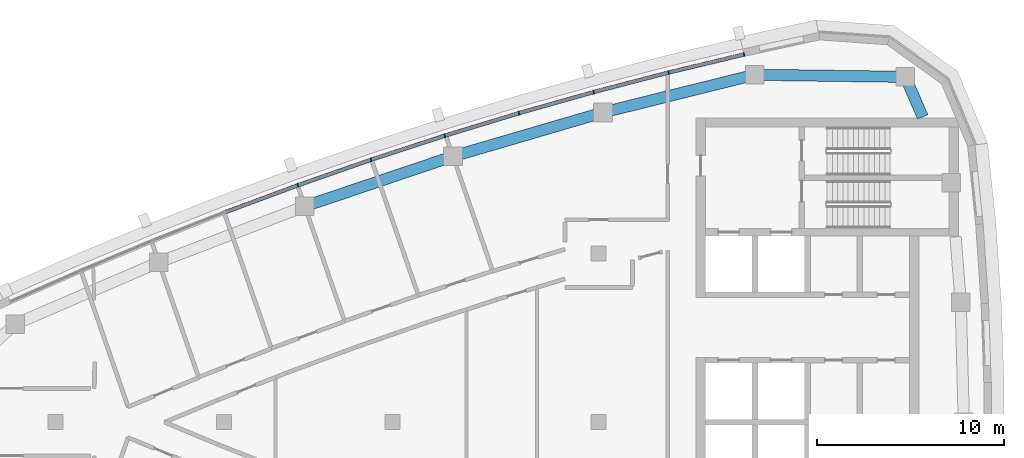
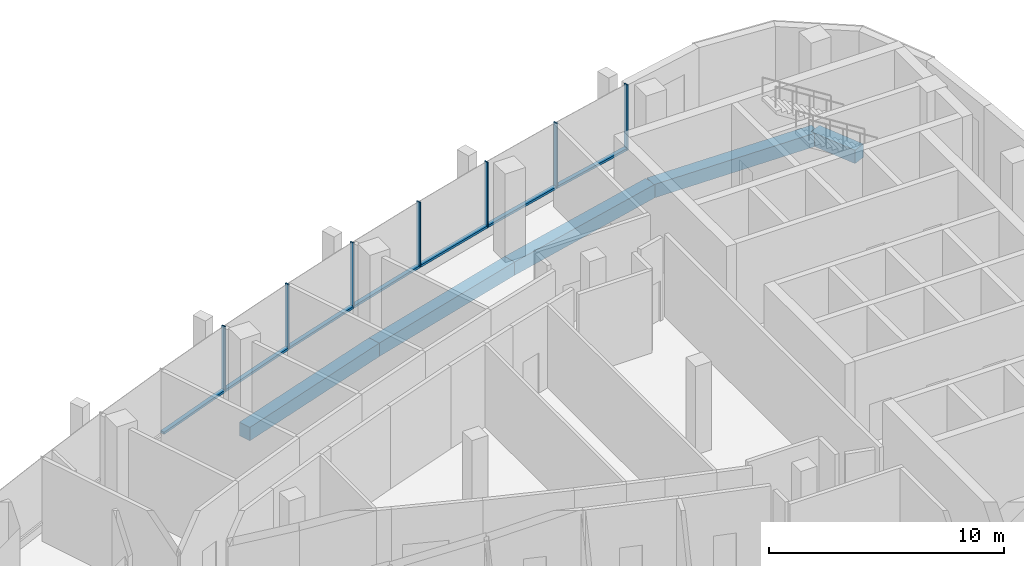
# One storey, part 5 of 15: 14 members, 5 beams, 4 elements without a shape of their own.
"""IFC4 building model written with IfcOpenShell, lengths in metres."""

from ifc_helpers import new_model, si_unit, direction, frame, origin, origin_2d, place, context, subcontext, project, spatial, rectangle, extrude, material, layer, layer_set, material_profile, profile_set, type_object, element, aggregate, save


model = new_model("IFC4")

# Units and contexts
model_context = context("Model", 3, precision=1e-05, world=origin(), true_north=direction((0.0, 1.0)))
body_context = subcontext(model_context, "Body", "Model", "MODEL_VIEW")
ifc_project = project(units=[si_unit("LENGTHUNIT", "METRE"), si_unit("AREAUNIT", "SQUARE_METRE"), si_unit("VOLUMEUNIT", "CUBIC_METRE"), si_unit("PLANEANGLEUNIT", "RADIAN"), si_unit("MASSUNIT", "GRAM", prefix="KILO")], contexts=[model_context])

# Site, building, storey
site_placement = place(None, origin())
site = spatial("IfcSite", under=ifc_project, at=site_placement, CompositionType="ELEMENT")
building_placement = place(site_placement, origin())
building = spatial("IfcBuilding", under=site, at=building_placement, Name="Ostrand Prow Hotel Tower", CompositionType="ELEMENT")
storey_placement = place(building_placement, frame((0.0, 0.0, 308.60009765625)))
storey = spatial("IfcBuildingStorey", under=building, at=storey_placement, Name="C1", CompositionType="ELEMENT", Elevation=308.60009765625)

# Beams
ifc_material_1 = material(Name="Concrete C40/50", Category="concrete")
ifc_material_profile_1 = material_profile(ifc_material_1, rectangle(XDim=0.60009765625, YDim=0.699951171875, at=origin_2d()), Name="RC 600x700")
ifc_profile_set_1 = profile_set([ifc_material_profile_1], Name="Concrete C40/50")
beam_type = type_object("IfcBeamType", Name="Edge beam 600x700 C40/50", PredefinedType="SPANDREL", material=ifc_profile_set_1)
beam_1_placement = place(storey_placement, frame((62.304931640625, 16.300048828125, -0.650146484375), z_axis=(-0.398863844187, 0.91701016014, 0.0), x_axis=(-0.91701016014, -0.398863844187, 0.0)))
element("IfcBeam", 1, at=beam_1_placement, inside=storey, type_object=beam_type, Name="Edge beam B5-NE", PredefinedType="SPANDREL", context=body_context, shape_type="SweptSolid", body=[
    extrude(rectangle(XDim=0.60009765625, YDim=0.699951171875, at=origin_2d()), origin(), (0.0, 0.0, 1.0), 2.333251953125),
])
beam_2_placement = place(storey_placement, frame((61.374267578125, 18.439697265625, -0.650146484375), z_axis=(-0.999900689486, 0.014092947356, 0.0), x_axis=(-0.014092947356, -0.999900689486, 0.0)))
element("IfcBeam", 2, at=beam_2_placement, inside=storey, type_object=beam_type, Name="Edge beam NE-N1", PredefinedType="SPANDREL", context=body_context, shape_type="SweptSolid", body=[
    extrude(rectangle(XDim=0.60009765625, YDim=0.699951171875, at=origin_2d()), origin(), (0.0, 0.0, 1.0), 8.0380859375),
])
for number, where, z_axis, x_axis, name in (
    (3, (53.3369140625, 18.552978515625, -0.650146484375), (-0.970456465292, -0.241276291775, 0.0), (0.241276291775, -0.970456465292, 0.0), "Edge beam N1-N2"),
    (4, (45.234619140625, 16.53857421875, -0.650146484375), (-0.959821966031, -0.280609681809, 0.0), (0.280609681809, -0.959821966031, 0.0), "Edge beam N2-N3"),
    (5, (37.22119140625, 14.19580078125, -0.650146484375), (-0.947575089419, -0.319533174981, 0.0), (0.319533174981, -0.947575089419, 0.0), "Edge beam N3-N4"),
):
    element("IfcBeam", number, at=place(storey_placement, frame(where, z_axis=z_axis, x_axis=x_axis)), inside=storey, type_object=beam_type, Name=name, PredefinedType="SPANDREL", context=body_context, shape_type="SweptSolid", body=[
        extrude(rectangle(XDim=0.60009765625, YDim=0.699951171875, at=origin_2d()), origin(), (0.0, 0.0, 1.0), 8.348876953125),
    ])

# Curtain wall, members
ifc_material_2 = material(Name="Insulated glass in bronze anodised frame", Category="glass")
ifc_layer = layer(ifc_material_2, 0.199951171875)
ifc_layer_set = layer_set([ifc_layer], Name="Insulated glass in bronze anodised frame")
curtain_wall_type = type_object("IfcCurtainWallType", Name="Observation and restaurant glazing wall", PredefinedType="NOTDEFINED", material=ifc_layer_set)
curtain_wall_1_placement = place(storey_placement, origin())
curtain_wall_1 = element("IfcCurtainWall", 6, at=curtain_wall_1_placement, inside=storey, type_object=curtain_wall_type, Name="CW6 run CWN1", PredefinedType="NOTDEFINED")
ifc_material_3 = material(Name="Bronze anodised aluminium", Category="aluminium")
ifc_material_profile_2 = material_profile(ifc_material_3, rectangle(XDim=0.199951171875, YDim=0.06005859375, at=origin_2d()), Name="Mullion 60x200 bronze anodised aluminium")
ifc_profile_set_2 = profile_set([ifc_material_profile_2], Name="Bronze anodised aluminium")
member_type_1 = type_object("IfcMemberType", Name="Mullion 60x200 bronze anodised aluminium", PredefinedType="MULLION", material=ifc_profile_set_2)
member_1_placement = place(storey_placement, frame((52.7607421875, 19.634521484375, 0.89990234375), z_axis=(0.0, 0.0, 1.0), x_axis=(0.232746096028, -0.972537533869, 0.0)))
member_1 = element("IfcMember", 7, at=member_1_placement, type_object=member_type_1, Name="CW6 mullion 1", PredefinedType="MULLION", context=body_context, shape_type="SweptSolid", body=[
    extrude(rectangle(XDim=0.199951171875, YDim=0.06005859375, at=origin_2d()), origin(), (0.0, 0.0, 1.0), 3.39990234375),
])
member_2_placement = place(storey_placement, frame((48.734619140625, 18.6708984375, 0.89990234375), z_axis=(0.0, 0.0, 1.0), x_axis=(0.252248384867, -0.967662519855, 0.0)))
member_2 = element("IfcMember", 8, at=member_2_placement, type_object=member_type_1, Name="CW6 mullion 2", PredefinedType="MULLION", context=body_context, shape_type="SweptSolid", body=[
    extrude(rectangle(XDim=0.199951171875, YDim=0.06005859375, at=origin_2d()), origin(), (0.0, 0.0, 1.0), 3.39990234375),
])
member_3_placement = place(storey_placement, frame((44.728515625, 17.626708984375, 0.89990234375), z_axis=(0.0, 0.0, 1.0), x_axis=(0.252248384867, -0.967662519855, 0.0)))
member_3 = element("IfcMember", 9, at=member_3_placement, type_object=member_type_1, Name="CW6 mullion 3", PredefinedType="MULLION", context=body_context, shape_type="SweptSolid", body=[
    extrude(rectangle(XDim=0.199951171875, YDim=0.06005859375, at=origin_2d()), origin(), (0.0, 0.0, 1.0), 3.39990234375),
])

curtain_wall_2_placement = place(storey_placement, origin())
curtain_wall_2 = element("IfcCurtainWall", 10, at=curtain_wall_2_placement, inside=storey, type_object=curtain_wall_type, Name="CW6 run CWN2", PredefinedType="NOTDEFINED")
member_4_placement = place(storey_placement, frame((40.744384765625, 16.502197265625, 0.89990234375), z_axis=(0.0, 0.0, 1.0), x_axis=(0.290937648411, -0.956742015769, 0.0)))
member_4 = element("IfcMember", 11, at=member_4_placement, type_object=member_type_1, Name="CW6 mullion 2", PredefinedType="MULLION", context=body_context, shape_type="SweptSolid", body=[
    extrude(rectangle(XDim=0.199951171875, YDim=0.06005859375, at=origin_2d()), origin(), (0.0, 0.0, 1.0), 3.39990234375),
])
member_5_placement = place(storey_placement, frame((36.78369140625, 15.297607421875, 0.89990234375), z_axis=(0.0, 0.0, 1.0), x_axis=(0.290937648411, -0.956742015769, 0.0)))
member_5 = element("IfcMember", 12, at=member_5_placement, type_object=member_type_1, Name="CW6 mullion 3", PredefinedType="MULLION", context=body_context, shape_type="SweptSolid", body=[
    extrude(rectangle(XDim=0.199951171875, YDim=0.06005859375, at=origin_2d()), origin(), (0.0, 0.0, 1.0), 3.39990234375),
])

curtain_wall_3_placement = place(storey_placement, origin())
curtain_wall_3 = element("IfcCurtainWall", 13, at=curtain_wall_3_placement, inside=storey, type_object=curtain_wall_type, Name="CW6 run CWN3", PredefinedType="NOTDEFINED")
member_6_placement = place(storey_placement, frame((32.84814453125, 14.013916015625, 0.89990234375), z_axis=(0.0, 0.0, 1.0), x_axis=(0.329158370885, -0.944274730614, 0.0)))
member_6 = element("IfcMember", 14, at=member_6_placement, type_object=member_type_1, Name="CW6 mullion 2", PredefinedType="MULLION", context=body_context, shape_type="SweptSolid", body=[
    extrude(rectangle(XDim=0.199951171875, YDim=0.06005859375, at=origin_2d()), origin(), (0.0, 0.0, 1.0), 3.39990234375),
])
member_7_placement = place(storey_placement, frame((28.93896484375, 12.6513671875, 0.89990234375), z_axis=(0.0, 0.0, 1.0), x_axis=(0.329158370885, -0.944274730614, 0.0)))
member_7 = element("IfcMember", 15, at=member_7_placement, type_object=member_type_1, Name="CW6 mullion 3", PredefinedType="MULLION", context=body_context, shape_type="SweptSolid", body=[
    extrude(rectangle(XDim=0.199951171875, YDim=0.06005859375, at=origin_2d()), origin(), (0.0, 0.0, 1.0), 3.39990234375),
])

# Member
ifc_material_4 = material(Name="Bronze anodised aluminium", Category="aluminium")
ifc_material_profile_3 = material_profile(ifc_material_4, rectangle(XDim=0.199951171875, YDim=0.1201171875, at=origin_2d()), Name="Transom 120x200 bronze anodised aluminium")
ifc_profile_set_3 = profile_set([ifc_material_profile_3], Name="Bronze anodised aluminium")
member_type_2 = type_object("IfcMemberType", Name="Transom 120x200 bronze anodised aluminium", PredefinedType="USERDEFINED", material=ifc_profile_set_3)
member_8_placement = place(storey_placement, frame((52.7314453125, 19.62744140625, 0.9599609375), z_axis=(-0.972542980558, -0.232723335675, 0.0), x_axis=(0.232723335675, -0.972542980558, 0.0)))
member_8 = element("IfcMember", 16, at=member_8_placement, type_object=member_type_2, Name="CW6 transom 1.1", ObjectType="TRANSOM", PredefinedType="USERDEFINED", context=body_context, shape_type="SweptSolid", body=[
    extrude(rectangle(XDim=0.199951171875, YDim=0.1201171875, at=origin_2d()), origin(), (0.0, 0.0, 1.0), 4.079833984375),
])

member_9_placement = place(storey_placement, frame((48.70556640625, 18.663330078125, 0.9599609375), z_axis=(-0.967664917891, -0.252239185461, 0.0), x_axis=(0.252239185461, -0.967664917891, 0.0)))
member_9 = element("IfcMember", 17, at=member_9_placement, type_object=member_type_2, Name="CW6 transom 2.1", ObjectType="TRANSOM", PredefinedType="USERDEFINED", context=body_context, shape_type="SweptSolid", body=[
    extrude(rectangle(XDim=0.199951171875, YDim=0.1201171875, at=origin_2d()), origin(), (0.0, 0.0, 1.0), 4.07958984375),
])

aggregate(curtain_wall_1, [member_1, member_2, member_3, member_8, member_9])

member_10_placement = place(storey_placement, frame((44.69970703125, 17.61865234375, 0.9599609375), z_axis=(-0.962386308628, -0.271684730828, 0.0), x_axis=(0.271684730828, -0.962386308628, 0.0)))
member_10 = element("IfcMember", 18, at=member_10_placement, type_object=member_type_2, Name="CW6 transom 1.1", ObjectType="TRANSOM", PredefinedType="USERDEFINED", context=body_context, shape_type="SweptSolid", body=[
    extrude(rectangle(XDim=0.199951171875, YDim=0.1201171875, at=origin_2d()), origin(), (0.0, 0.0, 1.0), 4.079833984375),
])

member_11_placement = place(storey_placement, frame((40.7158203125, 16.493408203125, 0.9599609375), z_axis=(-0.956739081124, -0.290947298751, 0.0), x_axis=(0.290947298751, -0.956739081124, 0.0)))
member_11 = element("IfcMember", 19, at=member_11_placement, type_object=member_type_2, Name="CW6 transom 2.1", ObjectType="TRANSOM", PredefinedType="USERDEFINED", context=body_context, shape_type="SweptSolid", body=[
    extrude(rectangle(XDim=0.199951171875, YDim=0.1201171875, at=origin_2d()), origin(), (0.0, 0.0, 1.0), 4.079833984375),
])

aggregate(curtain_wall_2, [member_4, member_5, member_10, member_11])

member_12_placement = place(storey_placement, frame((36.75537109375, 15.288330078125, 0.9599609375), z_axis=(-0.950704145978, -0.310099382165, 0.0), x_axis=(0.310099382165, -0.950704145978, 0.0)))
member_12 = element("IfcMember", 20, at=member_12_placement, type_object=member_type_2, Name="CW6 transom 1.1", ObjectType="TRANSOM", PredefinedType="USERDEFINED", context=body_context, shape_type="SweptSolid", body=[
    extrude(rectangle(XDim=0.199951171875, YDim=0.1201171875, at=origin_2d()), origin(), (0.0, 0.0, 1.0), 4.079833984375),
])

member_13_placement = place(storey_placement, frame((32.81982421875, 14.004150390625, 0.9599609375), z_axis=(-0.944268108385, -0.329177367822, 0.0), x_axis=(0.329177367822, -0.944268108385, 0.0)))
member_13 = element("IfcMember", 21, at=member_13_placement, type_object=member_type_2, Name="CW6 transom 2.1", ObjectType="TRANSOM", PredefinedType="USERDEFINED", context=body_context, shape_type="SweptSolid", body=[
    extrude(rectangle(XDim=0.199951171875, YDim=0.1201171875, at=origin_2d()), origin(), (0.0, 0.0, 1.0), 4.079833984375),
])

aggregate(curtain_wall_3, [member_6, member_7, member_12, member_13])

# Curtain wall, member
curtain_wall_4_placement = place(storey_placement, origin())
curtain_wall_4 = element("IfcCurtainWall", 22, at=curtain_wall_4_placement, inside=storey, type_object=curtain_wall_type, Name="CW6 run CWN4", PredefinedType="NOTDEFINED")
member_14_placement = place(storey_placement, frame((28.910888671875, 12.640869140625, 0.9599609375), z_axis=(-0.937460424566, -0.348091873465, 0.0), x_axis=(0.348091873465, -0.937460424566, 0.0)))
member_14 = element("IfcMember", 23, at=member_14_placement, type_object=member_type_2, Name="CW6 transom 1.1", ObjectType="TRANSOM", PredefinedType="USERDEFINED", context=body_context, shape_type="SweptSolid", body=[
    extrude(rectangle(XDim=0.199951171875, YDim=0.1201171875, at=origin_2d()), origin(), (0.0, 0.0, 1.0), 4.079833984375),
])
aggregate(curtain_wall_4, [member_14])

save(model, "model.ifc")
